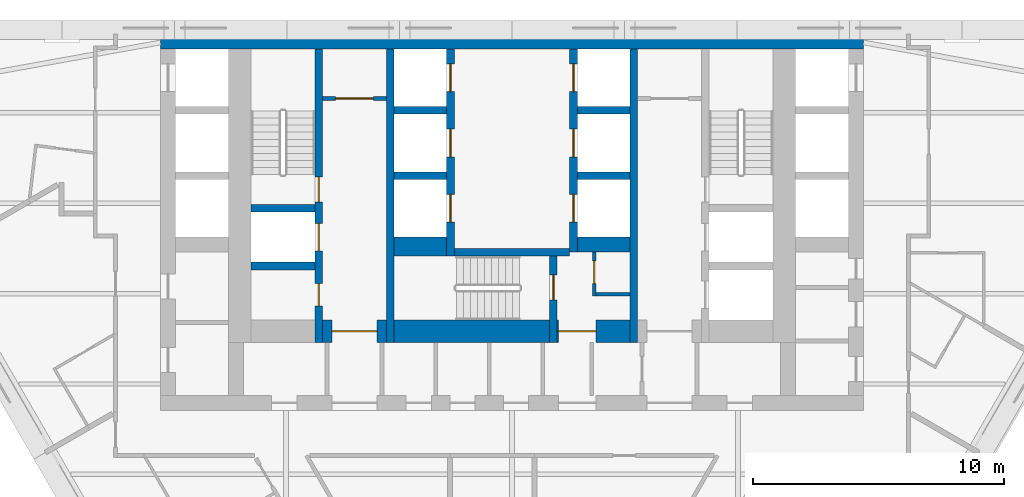
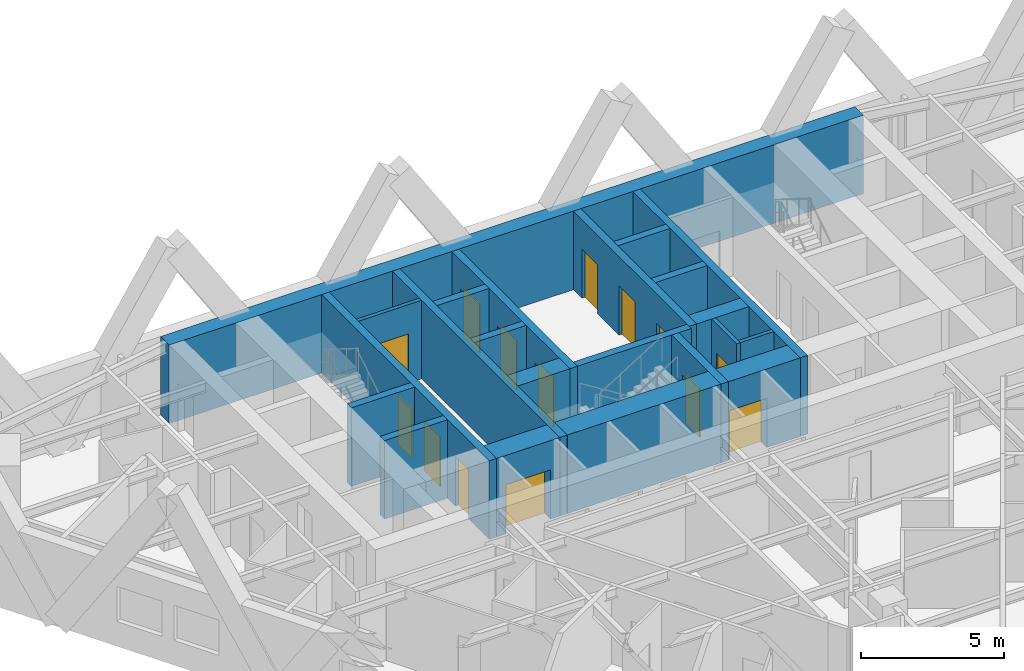
# One storey, part 8 of 12: 22 walls, 14 doors, 14 openings.
"""IFC4 building model written with IfcOpenShell, lengths in metres."""

from ifc_helpers import new_model, si_unit, direction, frame, frame_2d, origin, place, context, subcontext, project, spatial, rectangle, extrude, material, layer, layer_set, type_object, element, fill, save


model = new_model("IFC4")

# Units and contexts
model_context = context("Model", 3, precision=1e-05, world=origin(), true_north=direction((0.0, 1.0)))
body_context = subcontext(model_context, "Body", "Model", "MODEL_VIEW")
ifc_project = project(units=[si_unit("LENGTHUNIT", "METRE"), si_unit("AREAUNIT", "SQUARE_METRE"), si_unit("VOLUMEUNIT", "CUBIC_METRE"), si_unit("PLANEANGLEUNIT", "RADIAN"), si_unit("MASSUNIT", "GRAM", prefix="KILO")], contexts=[model_context])

# Site, building, storey
site_placement = place(None, origin())
site = spatial("IfcSite", under=ifc_project, at=site_placement, CompositionType="ELEMENT")
building_placement = place(site_placement, origin())
building = spatial("IfcBuilding", under=site, at=building_placement, Name="Aloe Facet Convention Tower", CompositionType="ELEMENT")
storey_placement = place(building_placement, frame((0.0, 0.0, 70.0)))
storey = spatial("IfcBuildingStorey", under=building, at=storey_placement, Name="L16", CompositionType="ELEMENT", Elevation=70.0)

# Wall, opening, door
ifc_material_1 = material(Name="Concrete blockwork partition", Category="masonry")
ifc_layer_1 = layer(ifc_material_1, 0.14990234375)
ifc_layer_set_1 = layer_set([ifc_layer_1], Name="CR-W-PART150")
wall_type_1 = type_object("IfcWallType", Name="CR-W-PART150", PredefinedType="PARTITIONING", material=ifc_layer_set_1)
wall_1_placement = place(storey_placement, frame((72.449951171875, 131.97509765625, 0.0), z_axis=(0.0, 0.0, 1.0), x_axis=(1.0, 0.0, 0.0)))
wall_1 = element("IfcWall", 1, at=wall_1_placement, inside=storey, type_object=wall_type_1, Name="Core partition L16-014", PredefinedType="PARTITIONING", context=body_context, shape_type="SweptSolid", body=[
    extrude(rectangle(XDim=2.550048828125, YDim=0.14990234375, at=frame_2d((1.27490234375, 0.0))), origin(), (0.0, 0.0, 1.0), 3.35009765625),
])
opening_1_placement = place(wall_1_placement, frame((0.52490234375, 0.0, 0.0)))
opening_1 = element("IfcOpeningElement", 2, at=opening_1_placement, cuts=wall_1, Name="Opening L16-CD22", PredefinedType="OPENING", context=body_context, shape_type="SweptSolid", body=[
    extrude(rectangle(XDim=1.5, YDim=2.10009765625, at=frame_2d((0.75, 1.050048828125))), frame((0.0, 0.0849609375, 0.0), z_axis=(0.0, -1.0, 0.0), x_axis=(1.0, 0.0, 0.0)), (0.0, 0.0, 1.0), 0.169921875),
])
ifc_material_2 = material(Name="Steel fire-resisting door set FD60", Category="steel")
door_type_1 = type_object("IfcDoorType", Name="CR-D-REFUGE-1500-FD60-DD", OperationType="DOUBLE_DOOR_DOUBLE_SWING", PredefinedType="DOOR", material=ifc_material_2)
door_1_placement = place(opening_1_placement, origin())
door_1 = element("IfcDoor", 3, at=door_1_placement, inside=storey, type_object=door_type_1, Name="Core door L16-CD22", OperationType="DOUBLE_DOOR_DOUBLE_SWING", OverallHeight=2.10009765625, OverallWidth=1.5, PredefinedType="DOOR", context=body_context, shape_type="SweptSolid", body=[
    extrude(rectangle(XDim=1.5, YDim=2.10009765625, at=frame_2d((0.75, 1.050048828125))), frame((0.0, 0.02490234375, 0.0), z_axis=(0.0, -1.0, 0.0), x_axis=(1.0, 0.0, 0.0)), (0.0, 0.0, 1.0), 0.050048828125),
])
fill(opening_1, door_1)

wall_2_placement = place(storey_placement, frame((83.27490234375, 125.85009765625, 0.0), z_axis=(0.0, 0.0, 1.0), x_axis=(0.0, -1.0, 0.0)))
wall_2 = element("IfcWall", 4, at=wall_2_placement, inside=storey, type_object=wall_type_1, Name="Core partition L16-035", PredefinedType="PARTITIONING", context=body_context, shape_type="SweptSolid", body=[
    extrude(rectangle(XDim=1.75, YDim=0.14990234375, at=frame_2d((0.875, 0.0))), origin(), (0.0, 0.0, 1.0), 3.35009765625),
])
opening_2_placement = place(wall_2_placement, frame((0.35009765625, 0.0, 0.0)))
opening_2 = element("IfcOpeningElement", 5, at=opening_2_placement, cuts=wall_2, Name="Opening L16-CD20", PredefinedType="OPENING", context=body_context, shape_type="SweptSolid", body=[
    extrude(rectangle(XDim=0.89990234375, YDim=2.10009765625, at=frame_2d((0.449951171875, 1.050048828125))), frame((0.0, 0.0849609375, 0.0), z_axis=(0.0, -1.0, 0.0), x_axis=(1.0, 0.0, 0.0)), (0.0, 0.0, 1.0), 0.169921875),
])
ifc_material_3 = material(Name="Steel fire-resisting door set FD60", Category="steel")
door_type_2 = type_object("IfcDoorType", Name="CR-D-REFUGE-900-FD60-SRIGHT", OperationType="SINGLE_SWING_RIGHT", PredefinedType="DOOR", material=ifc_material_3)
door_2_placement = place(opening_2_placement, origin())
door_2 = element("IfcDoor", 6, at=door_2_placement, inside=storey, type_object=door_type_2, Name="Core door L16-CD20", OperationType="SINGLE_SWING_RIGHT", OverallHeight=2.10009765625, OverallWidth=0.89990234375, PredefinedType="DOOR", context=body_context, shape_type="SweptSolid", body=[
    extrude(rectangle(XDim=0.89990234375, YDim=2.10009765625, at=frame_2d((0.449951171875, 1.050048828125))), frame((0.0, 0.02490234375, 0.0), z_axis=(0.0, -1.0, 0.0), x_axis=(1.0, 0.0, 0.0)), (0.0, 0.0, 1.0), 0.050048828125),
])
fill(opening_2, door_2)

# Walls
wall_3_placement = place(storey_placement, frame((83.35009765625, 124.175048828125, 0.0), z_axis=(0.0, 0.0, 1.0), x_axis=(1.0, 0.0, 0.0)))
element("IfcWall", 7, at=wall_3_placement, inside=storey, type_object=wall_type_1, Name="Core partition L16-036", PredefinedType="PARTITIONING", context=body_context, shape_type="SweptSolid", body=[
    extrude(rectangle(XDim=1.349853515625, YDim=0.14990234375, at=frame_2d((0.6748046875, 0.0))), origin(), (0.0, 0.0, 1.0), 3.35009765625),
])
ifc_material_4 = material(Name="Concrete C80/95", Category="concrete")
ifc_layer_2 = layer(ifc_material_4, 0.300048828125)
ifc_layer_set_2 = layer_set([ifc_layer_2], Name="CR-W-RC300-C8095")
wall_type_2 = type_object("IfcWallType", Name="CR-W-RC300-C8095", PredefinedType="SOLIDWALL", material=ifc_layer_set_2)
for number, where, z_axis, x_axis, name in (
    (8, (69.60009765625, 127.60009765625, 0.0), (0.0, 0.0, 1.0), (1.0, 0.0, 0.0), "Core wall L16-010"),
    (9, (69.60009765625, 125.300048828125, 0.0), (0.0, 0.0, 1.0), (1.0, 0.0, 0.0), "Core wall L16-011"),
):
    element("IfcWall", number, at=place(storey_placement, frame(where, z_axis=z_axis, x_axis=x_axis)), inside=storey, type_object=wall_type_2, Name=name, PredefinedType="SOLIDWALL", context=body_context, shape_type="SweptSolid", body=[
        extrude(rectangle(XDim=2.5498046875, YDim=0.300048828125, at=frame_2d((1.27490234375, 0.0))), origin(), (0.0, 0.0, 1.0), 3.35009765625),
    ])

# Wall, openings, doors
wall_4_placement = place(storey_placement, frame((72.300048828125, 133.949951171875, 0.0), z_axis=(0.0, 0.0, 1.0), x_axis=(0.0, -1.0, 0.0)))
wall_4 = element("IfcWall", 10, at=wall_4_placement, inside=storey, type_object=wall_type_2, Name="Core wall L16-013", PredefinedType="SOLIDWALL", context=body_context, shape_type="SweptSolid", body=[
    extrude(rectangle(XDim=11.699951171875, YDim=0.300048828125, at=frame_2d((5.85009765625, 0.0))), origin(), (0.0, 0.0, 1.0), 3.35009765625),
])
opening_3_placement = place(wall_4_placement, frame((6.949951171875, 0.0, 0.0)))
opening_3 = element("IfcOpeningElement", 11, at=opening_3_placement, cuts=wall_4, Name="Opening LD-FF1-L16", PredefinedType="OPENING", context=body_context, shape_type="SweptSolid", body=[
    extrude(rectangle(XDim=1.10009765625, YDim=2.10009765625, at=frame_2d((0.550048828125, 1.050048828125))), frame((0.0, 0.16015625, 0.0), z_axis=(0.0, -1.0, 0.0), x_axis=(1.0, 0.0, 0.0)), (0.0, 0.0, 1.0), 0.320068359375),
])
opening_4_placement = place(wall_4_placement, frame((9.35009765625, 0.0, 0.0)))
opening_4 = element("IfcOpeningElement", 12, at=opening_4_placement, cuts=wall_4, Name="Opening L16-CD23", PredefinedType="OPENING", context=body_context, shape_type="SweptSolid", body=[
    extrude(rectangle(XDim=0.89990234375, YDim=2.10009765625, at=frame_2d((0.449951171875, 1.050048828125))), frame((0.0, 0.16015625, 0.0), z_axis=(0.0, -1.0, 0.0), x_axis=(1.0, 0.0, 0.0)), (0.0, 0.0, 1.0), 0.320068359375),
])
opening_5_placement = place(wall_4_placement, frame((5.10009765625, 0.0, 0.0)))
opening_5 = element("IfcOpeningElement", 13, at=opening_5_placement, cuts=wall_4, Name="Opening L16-CD30", PredefinedType="OPENING", context=body_context, shape_type="SweptSolid", body=[
    extrude(rectangle(XDim=1.0, YDim=2.10009765625, at=frame_2d((0.5, 1.050048828125))), frame((0.0, 0.16015625, 0.0), z_axis=(0.0, -1.0, 0.0), x_axis=(1.0, 0.0, 0.0)), (0.0, 0.0, 1.0), 0.320068359375),
])
ifc_material_5 = material(Name="Steel fire-resisting door set FD60", Category="steel")
door_type_3 = type_object("IfcDoorType", Name="CR-D-ROOM-900-FD60-SLEFT", OperationType="SINGLE_SWING_LEFT", PredefinedType="DOOR", material=ifc_material_5)
door_3_placement = place(opening_4_placement, origin())
door_3 = element("IfcDoor", 14, at=door_3_placement, inside=storey, type_object=door_type_3, Name="Core door L16-CD23", OperationType="SINGLE_SWING_LEFT", OverallHeight=2.10009765625, OverallWidth=0.89990234375, PredefinedType="DOOR", context=body_context, shape_type="SweptSolid", body=[
    extrude(rectangle(XDim=0.89990234375, YDim=2.10009765625, at=frame_2d((0.449951171875, 1.050048828125))), frame((0.0, 0.02490234375, 0.0), z_axis=(0.0, -1.0, 0.0), x_axis=(1.0, 0.0, 0.0)), (0.0, 0.0, 1.0), 0.050048828125),
])
fill(opening_4, door_3)
ifc_material_6 = material(Name="Steel fire-resisting door set FD120", Category="steel")
door_type_4 = type_object("IfcDoorType", Name="CR-D-STAIR-1000-FD120-SRIGHT", OperationType="SINGLE_SWING_RIGHT", PredefinedType="DOOR", material=ifc_material_6)
door_4_placement = place(opening_5_placement, origin())
door_4 = element("IfcDoor", 15, at=door_4_placement, inside=storey, type_object=door_type_4, Name="Core door L16-CD30", OperationType="SINGLE_SWING_RIGHT", OverallHeight=2.10009765625, OverallWidth=1.0, PredefinedType="DOOR", context=body_context, shape_type="SweptSolid", body=[
    extrude(rectangle(XDim=1.0, YDim=2.10009765625, at=frame_2d((0.5, 1.050048828125))), frame((0.0, 0.02490234375, 0.0), z_axis=(0.0, -1.0, 0.0), x_axis=(1.0, 0.0, 0.0)), (0.0, 0.0, 1.0), 0.050048828125),
])
fill(opening_5, door_4)
ifc_material_7 = material(Name="Stainless steel sliding landing door", Category="steel")
door_type_5 = type_object("IfcDoorType", Name="CR-LD-1100-FD120-_LEFT", OperationType="SLIDING_TO_LEFT", PredefinedType="DOOR", material=ifc_material_7)
door_5_placement = place(opening_3_placement, origin())
door_5 = element("IfcDoor", 16, at=door_5_placement, inside=storey, type_object=door_type_5, Name="Landing door FF1 L16", OperationType="SLIDING_TO_LEFT", OverallHeight=2.10009765625, OverallWidth=1.10009765625, PredefinedType="DOOR", context=body_context, shape_type="SweptSolid", body=[
    extrude(rectangle(XDim=1.10009765625, YDim=2.10009765625, at=frame_2d((0.550048828125, 1.050048828125))), frame((0.0, 0.02490234375, 0.0), z_axis=(0.0, -1.0, 0.0), x_axis=(1.0, 0.0, 0.0)), (0.0, 0.0, 1.0), 0.050048828125),
])
fill(opening_3, door_5)

# Walls
wall_5_placement = place(storey_placement, frame((75.14990234375, 133.949951171875, 0.0), z_axis=(0.0, 0.0, 1.0), x_axis=(0.0, -1.0, 0.0)))
element("IfcWall", 17, at=wall_5_placement, inside=storey, type_object=wall_type_2, Name="Core wall L16-018", PredefinedType="SOLIDWALL", context=body_context, shape_type="SweptSolid", body=[
    extrude(rectangle(XDim=11.699951171875, YDim=0.300048828125, at=frame_2d((5.85009765625, 0.0))), origin(), (0.0, 0.0, 1.0), 3.35009765625),
])
for number, where, z_axis, x_axis, name in (
    (18, (75.300048828125, 131.5, 0.0), (0.0, 0.0, 1.0), (1.0, 0.0, 0.0), "Core wall L16-019"),
    (19, (75.300048828125, 128.89990234375, 0.0), (0.0, 0.0, 1.0), (1.0, 0.0, 0.0), "Core wall L16-020"),
):
    element("IfcWall", number, at=place(storey_placement, frame(where, z_axis=z_axis, x_axis=x_axis)), inside=storey, type_object=wall_type_2, Name=name, PredefinedType="SOLIDWALL", context=body_context, shape_type="SweptSolid", body=[
        extrude(rectangle(XDim=2.099853515625, YDim=0.300048828125, at=frame_2d((1.0498046875, 0.0))), origin(), (0.0, 0.0, 1.0), 3.35009765625),
    ])

# Wall, openings, doors
wall_6_placement = place(storey_placement, frame((77.550048828125, 133.949951171875, 0.0), z_axis=(0.0, 0.0, 1.0), x_axis=(0.0, -1.0, 0.0)))
wall_6 = element("IfcWall", 20, at=wall_6_placement, inside=storey, type_object=wall_type_2, Name="Core wall L16-024", PredefinedType="SOLIDWALL", context=body_context, shape_type="SweptSolid", body=[
    extrude(rectangle(XDim=8.25, YDim=0.300048828125, at=frame_2d((4.125, 0.0))), origin(), (0.0, 0.0, 1.0), 3.35009765625),
])
opening_6_placement = place(wall_6_placement, frame((0.60009765625, 0.0, 0.0)))
opening_6 = element("IfcOpeningElement", 21, at=opening_6_placement, cuts=wall_6, Name="Opening LD-A1-L16", PredefinedType="OPENING", context=body_context, shape_type="SweptSolid", body=[
    extrude(rectangle(XDim=1.10009765625, YDim=2.10009765625, at=frame_2d((0.550048828125, 1.050048828125))), frame((0.0, 0.16015625, 0.0), z_axis=(0.0, -1.0, 0.0), x_axis=(1.0, 0.0, 0.0)), (0.0, 0.0, 1.0), 0.320068359375),
])
opening_7_placement = place(wall_6_placement, frame((3.199951171875, 0.0, 0.0)))
opening_7 = element("IfcOpeningElement", 22, at=opening_7_placement, cuts=wall_6, Name="Opening LD-A2-L16", PredefinedType="OPENING", context=body_context, shape_type="SweptSolid", body=[
    extrude(rectangle(XDim=1.10009765625, YDim=2.10009765625, at=frame_2d((0.550048828125, 1.050048828125))), frame((0.0, 0.16015625, 0.0), z_axis=(0.0, -1.0, 0.0), x_axis=(1.0, 0.0, 0.0)), (0.0, 0.0, 1.0), 0.320068359375),
])
opening_8_placement = place(wall_6_placement, frame((5.800048828125, 0.0, 0.0)))
opening_8 = element("IfcOpeningElement", 23, at=opening_8_placement, cuts=wall_6, Name="Opening LD-A3-L16", PredefinedType="OPENING", context=body_context, shape_type="SweptSolid", body=[
    extrude(rectangle(XDim=1.10009765625, YDim=2.10009765625, at=frame_2d((0.550048828125, 1.050048828125))), frame((0.0, 0.16015625, 0.0), z_axis=(0.0, -1.0, 0.0), x_axis=(1.0, 0.0, 0.0)), (0.0, 0.0, 1.0), 0.320068359375),
])
ifc_material_8 = material(Name="Stainless steel sliding landing door", Category="steel")
door_type_6 = type_object("IfcDoorType", Name="CR-LD-1100-FD60-RIGHT", OperationType="SLIDING_TO_RIGHT", PredefinedType="DOOR", material=ifc_material_8)
door_6_placement = place(opening_6_placement, origin())
door_6 = element("IfcDoor", 24, at=door_6_placement, inside=storey, type_object=door_type_6, Name="Landing door A1 L16", OperationType="SLIDING_TO_RIGHT", OverallHeight=2.10009765625, OverallWidth=1.10009765625, PredefinedType="DOOR", context=body_context, shape_type="SweptSolid", body=[
    extrude(rectangle(XDim=1.10009765625, YDim=2.10009765625, at=frame_2d((0.550048828125, 1.050048828125))), frame((0.0, 0.02490234375, 0.0), z_axis=(0.0, -1.0, 0.0), x_axis=(1.0, 0.0, 0.0)), (0.0, 0.0, 1.0), 0.050048828125),
])
fill(opening_6, door_6)
door_7_placement = place(opening_7_placement, origin())
door_7 = element("IfcDoor", 25, at=door_7_placement, inside=storey, type_object=door_type_6, Name="Landing door A2 L16", OperationType="SLIDING_TO_RIGHT", OverallHeight=2.10009765625, OverallWidth=1.10009765625, PredefinedType="DOOR", context=body_context, shape_type="SweptSolid", body=[
    extrude(rectangle(XDim=1.10009765625, YDim=2.10009765625, at=frame_2d((0.550048828125, 1.050048828125))), frame((0.0, 0.02490234375, 0.0), z_axis=(0.0, -1.0, 0.0), x_axis=(1.0, 0.0, 0.0)), (0.0, 0.0, 1.0), 0.050048828125),
])
fill(opening_7, door_7)
door_8_placement = place(opening_8_placement, origin())
door_8 = element("IfcDoor", 26, at=door_8_placement, inside=storey, type_object=door_type_6, Name="Landing door A3 L16", OperationType="SLIDING_TO_RIGHT", OverallHeight=2.10009765625, OverallWidth=1.10009765625, PredefinedType="DOOR", context=body_context, shape_type="SweptSolid", body=[
    extrude(rectangle(XDim=1.10009765625, YDim=2.10009765625, at=frame_2d((0.550048828125, 1.050048828125))), frame((0.0, 0.02490234375, 0.0), z_axis=(0.0, -1.0, 0.0), x_axis=(1.0, 0.0, 0.0)), (0.0, 0.0, 1.0), 0.050048828125),
])
fill(opening_8, door_8)

# Wall
wall_7_placement = place(storey_placement, frame((77.699951171875, 125.85009765625, 0.0), z_axis=(0.0, 0.0, 1.0), x_axis=(1.0, 0.0, 0.0)))
element("IfcWall", 27, at=wall_7_placement, inside=storey, type_object=wall_type_2, Name="Core wall L16-025", PredefinedType="SOLIDWALL", context=body_context, shape_type="SweptSolid", body=[
    extrude(rectangle(XDim=4.60009765625, YDim=0.300048828125, at=frame_2d((2.300048828125, 0.0))), origin(), (0.0, 0.0, 1.0), 3.35009765625),
])

# Wall, opening, door
wall_8_placement = place(storey_placement, frame((81.64990234375, 125.699951171875, 0.0), z_axis=(0.0, 0.0, 1.0), x_axis=(0.0, -1.0, 0.0)))
wall_8 = element("IfcWall", 28, at=wall_8_placement, inside=storey, type_object=wall_type_2, Name="Core wall L16-028", PredefinedType="SOLIDWALL", context=body_context, shape_type="SweptSolid", body=[
    extrude(rectangle(XDim=3.449951171875, YDim=0.300048828125, at=frame_2d((1.72509765625, 0.0))), origin(), (0.0, 0.0, 1.0), 3.35009765625),
])
opening_9_placement = place(wall_8_placement, frame((0.75, 0.0, 0.0)))
opening_9 = element("IfcOpeningElement", 29, at=opening_9_placement, cuts=wall_8, Name="Opening L16-CD32", PredefinedType="OPENING", context=body_context, shape_type="SweptSolid", body=[
    extrude(rectangle(XDim=1.0, YDim=2.10009765625, at=frame_2d((0.5, 1.050048828125))), frame((0.0, 0.16015625, 0.0), z_axis=(0.0, -1.0, 0.0), x_axis=(1.0, 0.0, 0.0)), (0.0, 0.0, 1.0), 0.320068359375),
])
ifc_material_9 = material(Name="Steel fire-resisting door set FD120", Category="steel")
door_type_7 = type_object("IfcDoorType", Name="CR-D-STAIR-1000-FD120-SLEFT", OperationType="SINGLE_SWING_LEFT", PredefinedType="DOOR", material=ifc_material_9)
door_9_placement = place(opening_9_placement, origin())
door_9 = element("IfcDoor", 30, at=door_9_placement, inside=storey, type_object=door_type_7, Name="Core door L16-CD32", OperationType="SINGLE_SWING_LEFT", OverallHeight=2.10009765625, OverallWidth=1.0, PredefinedType="DOOR", context=body_context, shape_type="SweptSolid", body=[
    extrude(rectangle(XDim=1.0, YDim=2.10009765625, at=frame_2d((0.5, 1.050048828125))), frame((0.0, 0.02490234375, 0.0), z_axis=(0.0, -1.0, 0.0), x_axis=(1.0, 0.0, 0.0)), (0.0, 0.0, 1.0), 0.050048828125),
])
fill(opening_9, door_9)

# Wall, openings, doors
wall_9_placement = place(storey_placement, frame((82.449951171875, 133.949951171875, 0.0), z_axis=(0.0, 0.0, 1.0), x_axis=(0.0, -1.0, 0.0)))
wall_9 = element("IfcWall", 31, at=wall_9_placement, inside=storey, type_object=wall_type_2, Name="Core wall L16-030", PredefinedType="SOLIDWALL", context=body_context, shape_type="SweptSolid", body=[
    extrude(rectangle(XDim=8.099853515625, YDim=0.300048828125, at=frame_2d((4.0498046875, 0.0))), origin(), (0.0, 0.0, 1.0), 3.35009765625),
])
opening_10_placement = place(wall_9_placement, frame((0.60009765625, 0.0, 0.0)))
opening_10 = element("IfcOpeningElement", 32, at=opening_10_placement, cuts=wall_9, Name="Opening LD-A4-L16", PredefinedType="OPENING", context=body_context, shape_type="SweptSolid", body=[
    extrude(rectangle(XDim=1.10009765625, YDim=2.10009765625, at=frame_2d((0.550048828125, 1.050048828125))), frame((0.0, 0.16015625, 0.0), z_axis=(0.0, -1.0, 0.0), x_axis=(1.0, 0.0, 0.0)), (0.0, 0.0, 1.0), 0.320068359375),
])
opening_11_placement = place(wall_9_placement, frame((3.199951171875, 0.0, 0.0)))
opening_11 = element("IfcOpeningElement", 33, at=opening_11_placement, cuts=wall_9, Name="Opening LD-A5-L16", PredefinedType="OPENING", context=body_context, shape_type="SweptSolid", body=[
    extrude(rectangle(XDim=1.10009765625, YDim=2.10009765625, at=frame_2d((0.550048828125, 1.050048828125))), frame((0.0, 0.16015625, 0.0), z_axis=(0.0, -1.0, 0.0), x_axis=(1.0, 0.0, 0.0)), (0.0, 0.0, 1.0), 0.320068359375),
])
opening_12_placement = place(wall_9_placement, frame((5.800048828125, 0.0, 0.0)))
opening_12 = element("IfcOpeningElement", 34, at=opening_12_placement, cuts=wall_9, Name="Opening LD-A6-L16", PredefinedType="OPENING", context=body_context, shape_type="SweptSolid", body=[
    extrude(rectangle(XDim=1.10009765625, YDim=2.10009765625, at=frame_2d((0.550048828125, 1.050048828125))), frame((0.0, 0.16015625, 0.0), z_axis=(0.0, -1.0, 0.0), x_axis=(1.0, 0.0, 0.0)), (0.0, 0.0, 1.0), 0.320068359375),
])
ifc_material_10 = material(Name="Stainless steel sliding landing door", Category="steel")
door_type_8 = type_object("IfcDoorType", Name="CR-LD-1100-FD60-_LEFT", OperationType="SLIDING_TO_LEFT", PredefinedType="DOOR", material=ifc_material_10)
door_10_placement = place(opening_10_placement, origin())
door_10 = element("IfcDoor", 35, at=door_10_placement, inside=storey, type_object=door_type_8, Name="Landing door A4 L16", OperationType="SLIDING_TO_LEFT", OverallHeight=2.10009765625, OverallWidth=1.10009765625, PredefinedType="DOOR", context=body_context, shape_type="SweptSolid", body=[
    extrude(rectangle(XDim=1.10009765625, YDim=2.10009765625, at=frame_2d((0.550048828125, 1.050048828125))), frame((0.0, 0.02490234375, 0.0), z_axis=(0.0, -1.0, 0.0), x_axis=(1.0, 0.0, 0.0)), (0.0, 0.0, 1.0), 0.050048828125),
])
fill(opening_10, door_10)
door_11_placement = place(opening_11_placement, origin())
door_11 = element("IfcDoor", 36, at=door_11_placement, inside=storey, type_object=door_type_8, Name="Landing door A5 L16", OperationType="SLIDING_TO_LEFT", OverallHeight=2.10009765625, OverallWidth=1.10009765625, PredefinedType="DOOR", context=body_context, shape_type="SweptSolid", body=[
    extrude(rectangle(XDim=1.10009765625, YDim=2.10009765625, at=frame_2d((0.550048828125, 1.050048828125))), frame((0.0, 0.02490234375, 0.0), z_axis=(0.0, -1.0, 0.0), x_axis=(1.0, 0.0, 0.0)), (0.0, 0.0, 1.0), 0.050048828125),
])
fill(opening_11, door_11)
door_12_placement = place(opening_12_placement, origin())
door_12 = element("IfcDoor", 37, at=door_12_placement, inside=storey, type_object=door_type_8, Name="Landing door A6 L16", OperationType="SLIDING_TO_LEFT", OverallHeight=2.10009765625, OverallWidth=1.10009765625, PredefinedType="DOOR", context=body_context, shape_type="SweptSolid", body=[
    extrude(rectangle(XDim=1.10009765625, YDim=2.10009765625, at=frame_2d((0.550048828125, 1.050048828125))), frame((0.0, 0.02490234375, 0.0), z_axis=(0.0, -1.0, 0.0), x_axis=(1.0, 0.0, 0.0)), (0.0, 0.0, 1.0), 0.050048828125),
])
fill(opening_12, door_12)

# Walls
for number, where, z_axis, x_axis, name in (
    (38, (82.60009765625, 131.5, 0.0), (0.0, 0.0, 1.0), (1.0, 0.0, 0.0), "Core wall L16-031"),
    (39, (82.60009765625, 128.89990234375, 0.0), (0.0, 0.0, 1.0), (1.0, 0.0, 0.0), "Core wall L16-032"),
):
    element("IfcWall", number, at=place(storey_placement, frame(where, z_axis=z_axis, x_axis=x_axis)), inside=storey, type_object=wall_type_2, Name=name, PredefinedType="SOLIDWALL", context=body_context, shape_type="SweptSolid", body=[
        extrude(rectangle(XDim=2.099853515625, YDim=0.300048828125, at=frame_2d((1.0498046875, 0.0))), origin(), (0.0, 0.0, 1.0), 3.35009765625),
    ])
wall_10_placement = place(storey_placement, frame((84.85009765625, 133.949951171875, 0.0), z_axis=(0.0, 0.0, 1.0), x_axis=(0.0, -1.0, 0.0)))
element("IfcWall", 40, at=wall_10_placement, inside=storey, type_object=wall_type_2, Name="Core wall L16-037", PredefinedType="SOLIDWALL", context=body_context, shape_type="SweptSolid", body=[
    extrude(rectangle(XDim=11.699951171875, YDim=0.300048828125, at=frame_2d((5.85009765625, 0.0))), origin(), (0.0, 0.0, 1.0), 3.35009765625),
])
ifc_material_11 = material(Name="Concrete C80/95", Category="concrete")
ifc_layer_3 = layer(ifc_material_11, 0.60009765625)
ifc_layer_set_3 = layer_set([ifc_layer_3], Name="CR-W-RC600-C8095")
wall_type_3 = type_object("IfcWallType", Name="CR-W-RC600-C8095", PredefinedType="SOLIDWALL", material=ifc_layer_set_3)
wall_11_placement = place(storey_placement, frame((66.0, 134.25, 0.0), z_axis=(0.0, 0.0, 1.0), x_axis=(1.0, 0.0, 0.0)))
element("IfcWall", 41, at=wall_11_placement, inside=storey, type_object=wall_type_3, Name="Core wall L16-001", PredefinedType="SOLIDWALL", context=body_context, shape_type="SweptSolid", body=[
    extrude(rectangle(XDim=28.0, YDim=0.60009765625, at=frame_2d((14.0, 0.0))), origin(), (0.0, 0.0, 1.0), 3.35009765625),
])
wall_12_placement = place(storey_placement, frame((82.60009765625, 126.14990234375, 0.0), z_axis=(0.0, 0.0, 1.0), x_axis=(1.0, 0.0, 0.0)))
element("IfcWall", 42, at=wall_12_placement, inside=storey, type_object=wall_type_3, Name="Core wall L16-033", PredefinedType="SOLIDWALL", context=body_context, shape_type="SweptSolid", body=[
    extrude(rectangle(XDim=2.099853515625, YDim=0.60009765625, at=frame_2d((1.0498046875, 0.0))), origin(), (0.0, 0.0, 1.0), 3.35009765625),
])
ifc_material_12 = material(Name="Concrete C80/95", Category="concrete")
ifc_layer_4 = layer(ifc_material_12, 0.75)
ifc_layer_set_4 = layer_set([ifc_layer_4], Name="CR-W-RC750-C8095")
wall_type_4 = type_object("IfcWallType", Name="CR-W-RC750-C8095", PredefinedType="SOLIDWALL", material=ifc_layer_set_4)
wall_13_placement = place(storey_placement, frame((75.300048828125, 126.074951171875, 0.0), z_axis=(0.0, 0.0, 1.0), x_axis=(1.0, 0.0, 0.0)))
element("IfcWall", 43, at=wall_13_placement, inside=storey, type_object=wall_type_4, Name="Core wall L16-021", PredefinedType="SOLIDWALL", context=body_context, shape_type="SweptSolid", body=[
    extrude(rectangle(XDim=2.099853515625, YDim=0.75, at=frame_2d((1.0498046875, 0.0))), origin(), (0.0, 0.0, 1.0), 3.35009765625),
])

# Wall, opening, door
ifc_material_13 = material(Name="Concrete C80/95", Category="concrete")
ifc_layer_5 = layer(ifc_material_13, 0.89990234375)
ifc_layer_set_5 = layer_set([ifc_layer_5], Name="CR-W-RC900-C8095")
wall_type_5 = type_object("IfcWallType", Name="CR-W-RC900-C8095", PredefinedType="SOLIDWALL", material=ifc_layer_set_5)
wall_14_placement = place(storey_placement, frame((72.449951171875, 122.699951171875, 0.0), z_axis=(0.0, 0.0, 1.0), x_axis=(1.0, 0.0, 0.0)))
wall_14 = element("IfcWall", 44, at=wall_14_placement, inside=storey, type_object=wall_type_5, Name="Core wall L16-015", PredefinedType="SOLIDWALL", context=body_context, shape_type="SweptSolid", body=[
    extrude(rectangle(XDim=2.550048828125, YDim=0.89990234375, at=frame_2d((1.27490234375, 0.0))), origin(), (0.0, 0.0, 1.0), 3.35009765625),
])
opening_13_placement = place(wall_14_placement, frame((0.375, 0.0, 0.0)))
opening_13 = element("IfcOpeningElement", 45, at=opening_13_placement, cuts=wall_14, Name="Opening L16-CD15", PredefinedType="OPENING", context=body_context, shape_type="SweptSolid", body=[
    extrude(rectangle(XDim=1.800048828125, YDim=2.10009765625, at=frame_2d((0.89990234375, 1.050048828125))), frame((0.0, 0.4599609375, 0.0), z_axis=(0.0, -1.0, 0.0), x_axis=(1.0, 0.0, 0.0)), (0.0, 0.0, 1.0), 0.919921875),
])
ifc_material_14 = material(Name="Steel fire-resisting door set FD120", Category="steel")
door_type_9 = type_object("IfcDoorType", Name="CR-D-EXIT-1800-FD120-DD", OperationType="DOUBLE_DOOR_DOUBLE_SWING", PredefinedType="DOOR", material=ifc_material_14)
door_13_placement = place(opening_13_placement, origin())
door_13 = element("IfcDoor", 46, at=door_13_placement, inside=storey, type_object=door_type_9, Name="Core door L16-CD15", OperationType="DOUBLE_DOOR_DOUBLE_SWING", OverallHeight=2.10009765625, OverallWidth=1.800048828125, PredefinedType="DOOR", context=body_context, shape_type="SweptSolid", body=[
    extrude(rectangle(XDim=1.800048828125, YDim=2.10009765625, at=frame_2d((0.89990234375, 1.050048828125))), frame((0.0, 0.02490234375, 0.0), z_axis=(0.0, -1.0, 0.0), x_axis=(1.0, 0.0, 0.0)), (0.0, 0.0, 1.0), 0.050048828125),
])
fill(opening_13, door_13)

# Wall
wall_15_placement = place(storey_placement, frame((75.300048828125, 122.699951171875, 0.0), z_axis=(0.0, 0.0, 1.0), x_axis=(1.0, 0.0, 0.0)))
element("IfcWall", 47, at=wall_15_placement, inside=storey, type_object=wall_type_5, Name="Core wall L16-022", PredefinedType="SOLIDWALL", context=body_context, shape_type="SweptSolid", body=[
    extrude(rectangle(XDim=6.199951171875, YDim=0.89990234375, at=frame_2d((3.10009765625, 0.0))), origin(), (0.0, 0.0, 1.0), 3.35009765625),
])

# Wall, opening, door
wall_16_placement = place(storey_placement, frame((81.800048828125, 122.699951171875, 0.0), z_axis=(0.0, 0.0, 1.0), x_axis=(1.0, 0.0, 0.0)))
wall_16 = element("IfcWall", 48, at=wall_16_placement, inside=storey, type_object=wall_type_5, Name="Core wall L16-029", PredefinedType="SOLIDWALL", context=body_context, shape_type="SweptSolid", body=[
    extrude(rectangle(XDim=2.89990234375, YDim=0.89990234375, at=frame_2d((1.449951171875, 0.0))), origin(), (0.0, 0.0, 1.0), 3.35009765625),
])
opening_14_placement = place(wall_16_placement, frame((0.050048828125, 0.0, 0.0)))
opening_14 = element("IfcOpeningElement", 49, at=opening_14_placement, cuts=wall_16, Name="Opening L16-CD16", PredefinedType="OPENING", context=body_context, shape_type="SweptSolid", body=[
    extrude(rectangle(XDim=1.5, YDim=2.10009765625, at=frame_2d((0.75, 1.050048828125))), frame((0.0, 0.4599609375, 0.0), z_axis=(0.0, -1.0, 0.0), x_axis=(1.0, 0.0, 0.0)), (0.0, 0.0, 1.0), 0.919921875),
])
ifc_material_15 = material(Name="Steel fire-resisting door set FD60", Category="steel")
door_type_10 = type_object("IfcDoorType", Name="CR-D-EXIT-1500-FD60-DD", OperationType="DOUBLE_DOOR_DOUBLE_SWING", PredefinedType="DOOR", material=ifc_material_15)
door_14_placement = place(opening_14_placement, origin())
door_14 = element("IfcDoor", 50, at=door_14_placement, inside=storey, type_object=door_type_10, Name="Core door L16-CD16", OperationType="DOUBLE_DOOR_DOUBLE_SWING", OverallHeight=2.10009765625, OverallWidth=1.5, PredefinedType="DOOR", context=body_context, shape_type="SweptSolid", body=[
    extrude(rectangle(XDim=1.5, YDim=2.10009765625, at=frame_2d((0.75, 1.050048828125))), frame((0.0, 0.02490234375, 0.0), z_axis=(0.0, -1.0, 0.0), x_axis=(1.0, 0.0, 0.0)), (0.0, 0.0, 1.0), 0.050048828125),
])
fill(opening_14, door_14)

save(model, "model.ifc")
